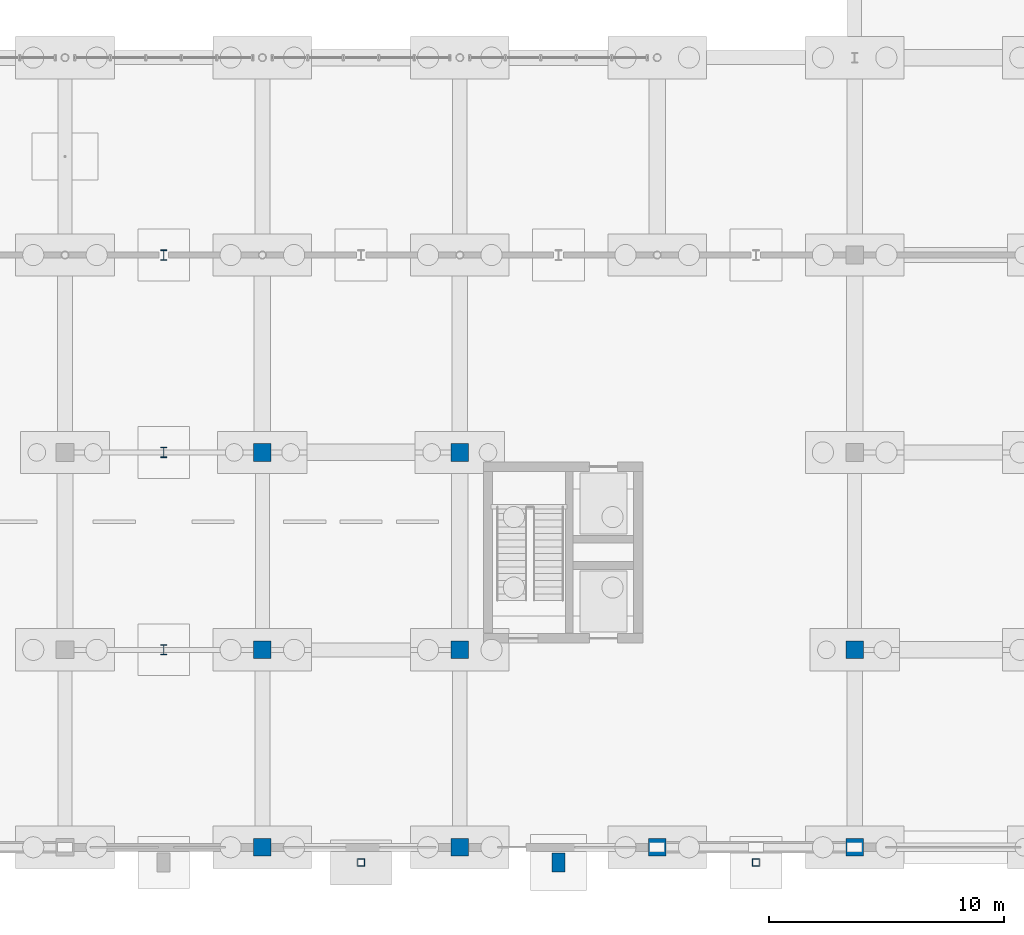
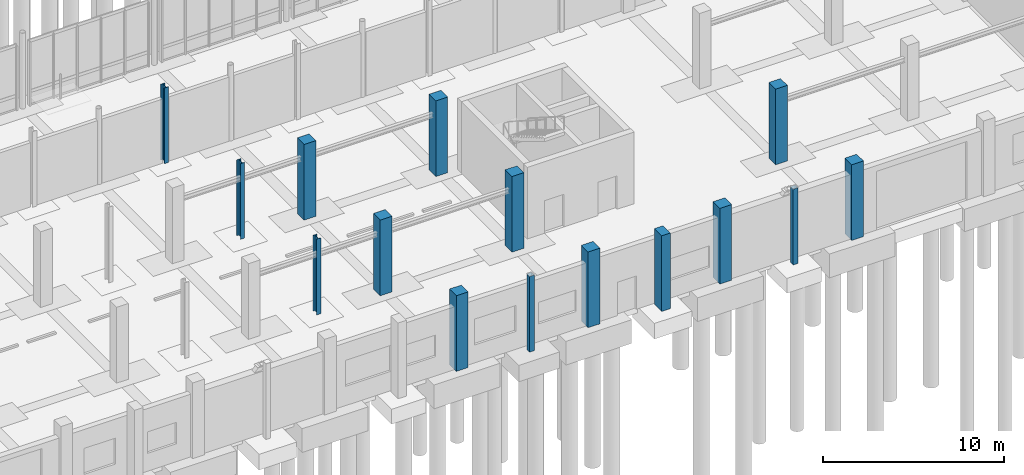
# One storey, part 15 of 119: 15 columns.
"""IFC4 building model written with IfcOpenShell, lengths in metres."""

from ifc_helpers import new_model, si_unit, derived_unit, direction, frame, origin, origin_2d, place, context, subcontext, project, spatial, rectangle, hollow_rectangle, i_section, extrude, material, material_profile, profile_set, type_object, element, save


model = new_model("IFC4")

# Units and contexts
model_context = context("Model", 3, precision=1e-05, world=origin(), true_north=direction((0.0, 1.0)))
body_context = subcontext(model_context, "Body", "Model", "MODEL_VIEW")
ifc_project = project(units=[si_unit("LENGTHUNIT", "METRE"), si_unit("AREAUNIT", "SQUARE_METRE"), si_unit("VOLUMEUNIT", "CUBIC_METRE"), si_unit("PLANEANGLEUNIT", "RADIAN"), si_unit("MASSUNIT", "GRAM", prefix="KILO"), derived_unit("THERMALTRANSMITTANCEUNIT", [(si_unit("MASSUNIT", "GRAM", prefix="KILO"), 1), (si_unit("TIMEUNIT", "SECOND"), -3), (si_unit("THERMODYNAMICTEMPERATUREUNIT", "KELVIN"), -1)])], contexts=[model_context])

# Site, building, storey
site_placement = place(None, origin())
site = spatial("IfcSite", under=ifc_project, at=site_placement, CompositionType="ELEMENT")
building_placement = place(site_placement, origin())
building = spatial("IfcBuilding", under=site, at=building_placement, Name="Makaiwela Harbour Ferry Terminal", CompositionType="ELEMENT")
storey_placement = place(building_placement, origin())
storey = spatial("IfcBuildingStorey", under=building, at=storey_placement, Name="L00", CompositionType="ELEMENT", Elevation=0.0)

# Columns
ifc_material_1 = material(Name="Concrete f'c 45 MPa (6500 psi)", Category="concrete")
ifc_material_profile_1 = material_profile(ifc_material_1, rectangle(XDim=0.75, YDim=0.75, at=origin_2d()), Name="RC-750X750")
ifc_profile_set_1 = profile_set([ifc_material_profile_1], Name="Concrete f'c 45 MPa (6500 psi)")
column_type_1 = type_object("IfcColumnType", Name="STR-COL-RC750", PredefinedType="COLUMN", material=ifc_profile_set_1)
for number, where, z_axis, x_axis, name in (
    (1, (113.39990234375, 0.0, 0.0), (0.0, 0.0, 1.0), (1.0, 0.0, 0.0), "Structural Column C-08"),
    (2, (113.39990234375, 8.39990234375, 0.0), (0.0, 0.0, 1.0), (1.0, 0.0, 0.0), "Structural Column C-08"),
    (3, (113.39990234375, 16.800048828125, 0.0), (0.0, 0.0, 1.0), (1.0, 0.0, 0.0), "Structural Column C-08"),
    (4, (121.800048828125, 0.0, 0.0), (0.0, 0.0, 1.0), (1.0, 0.0, 0.0), "Structural Column C-08"),
    (5, (121.800048828125, 8.39990234375, 0.0), (0.0, 0.0, 1.0), (1.0, 0.0, 0.0), "Structural Column C-08"),
    (6, (121.800048828125, 16.800048828125, 0.0), (0.0, 0.0, 1.0), (1.0, 0.0, 0.0), "Structural Column C-08"),
    (7, (130.199951171875, 0.0, 0.0), (0.0, 0.0, 1.0), (1.0, 0.0, 0.0), "Structural Column C-08"),
    (8, (138.60009765625, 0.0, 0.0), (0.0, 0.0, 1.0), (1.0, 0.0, 0.0), "Structural Column C-08"),
    (9, (138.60009765625, 8.39990234375, 0.0), (0.0, 0.0, 1.0), (1.0, 0.0, 0.0), "Structural Column C-08"),
):
    element("IfcColumn", number, at=place(storey_placement, frame(where, z_axis=z_axis, x_axis=x_axis)), inside=storey, type_object=column_type_1, Name=name, PredefinedType="COLUMN", context=body_context, shape_type="SweptSolid", body=[
        extrude(rectangle(XDim=0.75, YDim=0.75, at=origin_2d()), origin(), (0.0, 0.0, 1.0), 5.10009765625),
    ])
ifc_material_2 = material(Name="Steel ASTM A992 Grade 50", Category="steel")
ifc_material_profile_2 = material_profile(ifc_material_2, i_section(OverallWidth=0.264892578125, OverallDepth=0.430908203125, WebThickness=0.014892578125, FlangeThickness=0.02490234375, at=origin_2d()), Name="W16X100")
ifc_profile_set_2 = profile_set([ifc_material_profile_2], Name="Steel ASTM A992 Grade 50")
column_type_2 = type_object("IfcColumnType", Name="STR-COL-W16X100", PredefinedType="COLUMN", material=ifc_profile_set_2)
for number, where, z_axis, x_axis, name in (
    (10, (109.199951171875, 8.39990234375, 0.0), (0.0, 0.0, 1.0), (1.0, 0.0, 0.0), "Structural Column C-03"),
    (11, (109.199951171875, 16.800048828125, 0.0), (0.0, 0.0, 1.0), (1.0, 0.0, 0.0), "Structural Column C-03"),
    (12, (109.199951171875, 25.199951171875, 0.0), (0.0, 0.0, 1.0), (1.0, 0.0, 0.0), "Structural Column C-03"),
):
    element("IfcColumn", number, at=place(storey_placement, frame(where, z_axis=z_axis, x_axis=x_axis)), inside=storey, type_object=column_type_2, Name=name, PredefinedType="COLUMN", context=body_context, shape_type="SweptSolid", body=[
        extrude(i_section(OverallWidth=0.264892578125, OverallDepth=0.430908203125, WebThickness=0.014892578125, FlangeThickness=0.02490234375, at=origin_2d()), origin(), (0.0, 0.0, 1.0), 5.10009765625),
    ])
ifc_material_3 = material(Name="Steel ASTM A500 Grade C", Category="steel")
ifc_material_profile_3 = material_profile(ifc_material_3, hollow_rectangle(XDim=0.304931640625, YDim=0.304931640625, WallThickness=0.0146484375, at=origin_2d()), Name="HSS12X12X5/8")
ifc_profile_set_3 = profile_set([ifc_material_profile_3], Name="Steel ASTM A500 Grade C")
column_type_3 = type_object("IfcColumnType", Name="STR-PIL-HSS12", PredefinedType="PILASTER", material=ifc_profile_set_3)
for number, where, z_axis, x_axis, name in (
    (13, (117.60009765625, -0.64990234375, 0.0), (0.0, 0.0, 1.0), (1.0, 0.0, 0.0), "Structural Column PL-02"),
    (14, (134.39990234375, -0.64990234375, 0.0), (0.0, 0.0, 1.0), (1.0, 0.0, 0.0), "Structural Column PL-02"),
):
    element("IfcColumn", number, at=place(storey_placement, frame(where, z_axis=z_axis, x_axis=x_axis)), inside=storey, type_object=column_type_3, Name=name, PredefinedType="PILASTER", context=body_context, shape_type="SweptSolid", body=[
        extrude(hollow_rectangle(XDim=0.304931640625, YDim=0.304931640625, WallThickness=0.0146484375, at=origin_2d()), origin(), (0.0, 0.0, 1.0), 5.10009765625),
    ])
ifc_material_profile_4 = material_profile(ifc_material_1, rectangle(XDim=0.550048828125, YDim=0.800048828125, at=origin_2d()), Name="RC-800X550")
ifc_profile_set_4 = profile_set([ifc_material_profile_4], Name="Concrete f'c 45 MPa (6500 psi)")
column_type_4 = type_object("IfcColumnType", Name="STR-PIL-RC800", PredefinedType="PILASTER", material=ifc_profile_set_4)
column_placement = place(storey_placement, frame((126.0, -0.64990234375, 0.0), z_axis=(0.0, 0.0, 1.0), x_axis=(1.0, 0.0, 0.0)))
element("IfcColumn", 15, at=column_placement, inside=storey, type_object=column_type_4, Name="Structural Column PL-01", PredefinedType="PILASTER", context=body_context, shape_type="SweptSolid", body=[
    extrude(rectangle(XDim=0.550048828125, YDim=0.800048828125, at=origin_2d()), origin(), (0.0, 0.0, 1.0), 5.10009765625),
])

save(model, "model.ifc")
